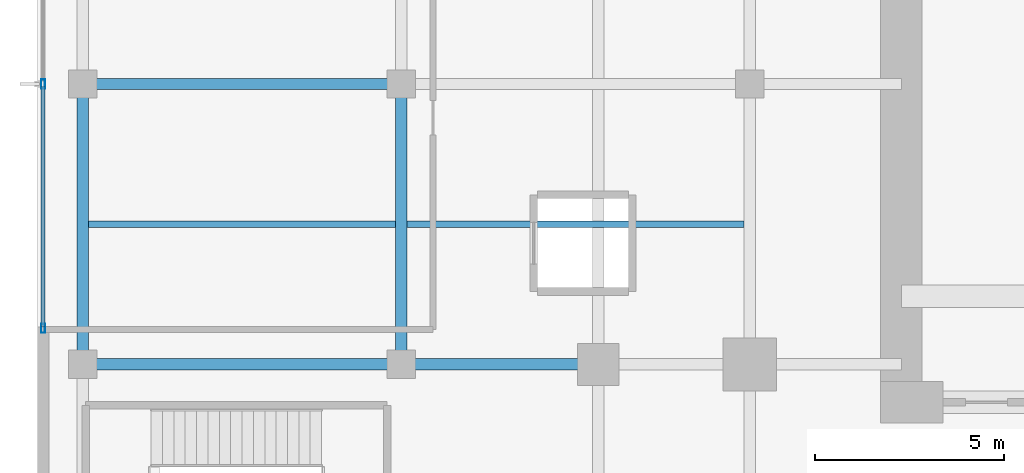
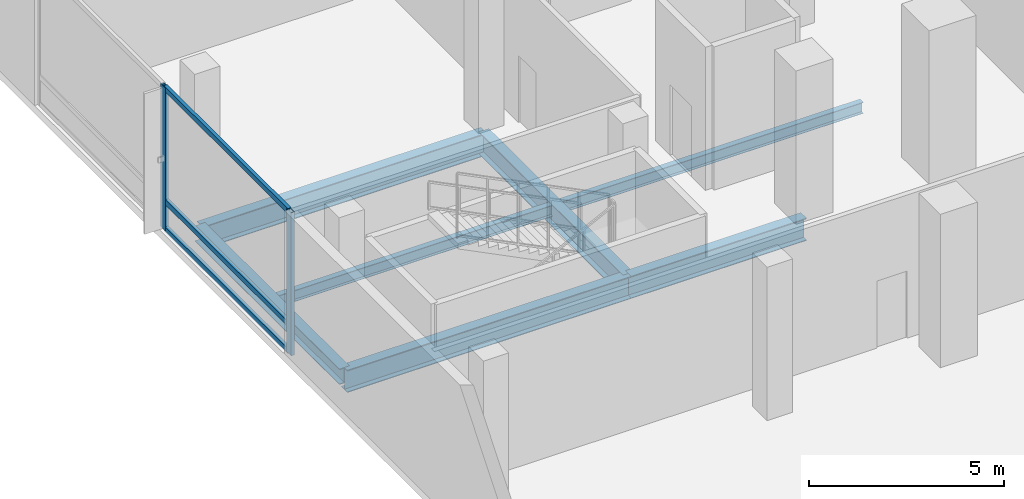
# One storey, part 2 of 19: 7 beams, 5 members, 1 element without a shape of its own.
"""IFC4 building model written with IfcOpenShell, lengths in metres."""

from ifc_helpers import new_model, si_unit, direction, frame, origin, origin_2d, place, context, subcontext, project, spatial, hollow_rectangle, i_section, extrude, material, layer, layer_set, material_profile, profile_set, type_object, element, aggregate, save


model = new_model("IFC4")

# Units and contexts
model_context = context("Model", 3, precision=1e-05, world=origin(), true_north=direction((0.0, 1.0)))
body_context = subcontext(model_context, "Body", "Model", "MODEL_VIEW")
ifc_project = project(units=[si_unit("LENGTHUNIT", "METRE"), si_unit("AREAUNIT", "SQUARE_METRE"), si_unit("VOLUMEUNIT", "CUBIC_METRE"), si_unit("PLANEANGLEUNIT", "RADIAN"), si_unit("MASSUNIT", "GRAM", prefix="KILO")], contexts=[model_context])

# Site, building, storey
site_placement = place(None, origin())
site = spatial("IfcSite", under=ifc_project, at=site_placement, CompositionType="ELEMENT")
building_placement = place(site_placement, origin())
building = spatial("IfcBuilding", under=site, at=building_placement, Name="Khorvyn Point Tower", CompositionType="ELEMENT")
storey_placement = place(building_placement, frame((0.0, 0.0, 21.60009765625)))
storey = spatial("IfcBuildingStorey", under=building, at=storey_placement, Name="L06", CompositionType="ELEMENT", Elevation=21.60009765625)

# Curtain wall, members
ifc_material_1 = material(Name="Anodised aluminium 6063-T6 and laminated Low-E glass", Category="aluminium")
ifc_layer = layer(ifc_material_1, 0.18994140625)
ifc_layer_set = layer_set([ifc_layer], Name="Stick-Built Low-E Podium Curtain Wall CW-SYS-01")
curtain_wall_type = type_object("IfcCurtainWallType", Name="Stick-Built Low-E Podium Curtain Wall CW-SYS-01", PredefinedType="NOTDEFINED", material=ifc_layer_set)
curtain_wall_placement = place(storey_placement, origin())
curtain_wall = element("IfcCurtainWall", 1, at=curtain_wall_placement, inside=storey, type_object=curtain_wall_type, Name="Curtain Wall", PredefinedType="NOTDEFINED")
ifc_material_2 = material(Name="Anodised aluminium 6063-T6", Category="aluminium")
ifc_material_profile_1 = material_profile(ifc_material_2, hollow_rectangle(XDim=0.10009765625, YDim=0.239990234375, WallThickness=0.0048828125, at=origin_2d()))
ifc_profile_set_1 = profile_set([ifc_material_profile_1], Name="Anodised aluminium 6063-T6 ALU-MUL-100x240")
member_type_1 = type_object("IfcMemberType", Name="Anodised Aluminium 6063-T6 Mullion ALU-MUL-100x240", PredefinedType="MULLION", material=ifc_profile_set_1)
member_1_placement = place(storey_placement, frame((-33.449951171875, -6.449951171875, 0.0), z_axis=(0.0, 0.0, 1.0), x_axis=(-1.0, 0.0, 0.0)))
member_1 = element("IfcMember", 2, at=member_1_placement, type_object=member_type_1, Name="Transom", PredefinedType="MULLION", context=body_context, shape_type="SweptSolid", body=[
    extrude(hollow_rectangle(XDim=0.10009765625, YDim=0.239990234375, WallThickness=0.0048828125, at=origin_2d()), origin(), (0.0, 0.0, 1.0), 4.47998046875),
])
member_2_placement = place(storey_placement, frame((-33.449951171875, 0.0, 0.0), z_axis=(0.0, 0.0, 1.0), x_axis=(-1.0, 0.0, 0.0)))
member_2 = element("IfcMember", 3, at=member_2_placement, type_object=member_type_1, Name="Transom", PredefinedType="MULLION", context=body_context, shape_type="SweptSolid", body=[
    extrude(hollow_rectangle(XDim=0.10009765625, YDim=0.239990234375, WallThickness=0.0048828125, at=origin_2d()), origin(), (0.0, 0.0, 1.0), 4.47998046875),
])
ifc_material_profile_2 = material_profile(ifc_material_2, hollow_rectangle(XDim=0.10009765625, YDim=0.159912109375, WallThickness=0.00439453125, at=origin_2d()))
ifc_profile_set_2 = profile_set([ifc_material_profile_2], Name="Anodised aluminium 6063-T6 ALU-TRN-100x160")
member_type_2 = type_object("IfcMemberType", Name="Anodised Aluminium 6063-T6 Transom ALU-TRN-100x160", PredefinedType="USERDEFINED", material=ifc_profile_set_2)
member_3_placement = place(storey_placement, frame((-33.449951171875, -6.39990234375, 0.0498046875), z_axis=(0.0, 1.0, 0.0), x_axis=(-1.0, 0.0, 0.0)))
member_3 = element("IfcMember", 4, at=member_3_placement, type_object=member_type_2, Name="Transom", ObjectType="TRANSOM", PredefinedType="USERDEFINED", context=body_context, shape_type="SweptSolid", body=[
    extrude(hollow_rectangle(XDim=0.10009765625, YDim=0.159912109375, WallThickness=0.00439453125, at=origin_2d()), origin(), (0.0, 0.0, 1.0), 6.349853515625),
])
member_4_placement = place(storey_placement, frame((-33.449951171875, -6.39990234375, 0.89990234375), z_axis=(0.0, 1.0, 0.0), x_axis=(-1.0, 0.0, 0.0)))
member_4 = element("IfcMember", 5, at=member_4_placement, type_object=member_type_2, Name="Transom", ObjectType="TRANSOM", PredefinedType="USERDEFINED", context=body_context, shape_type="SweptSolid", body=[
    extrude(hollow_rectangle(XDim=0.10009765625, YDim=0.159912109375, WallThickness=0.00439453125, at=origin_2d()), origin(), (0.0, 0.0, 1.0), 6.349853515625),
])
member_5_placement = place(storey_placement, frame((-33.449951171875, -6.39990234375, 4.429931640625), z_axis=(0.0, 1.0, 0.0), x_axis=(-1.0, 0.0, 0.0)))
member_5 = element("IfcMember", 6, at=member_5_placement, type_object=member_type_2, Name="Transom", ObjectType="TRANSOM", PredefinedType="USERDEFINED", context=body_context, shape_type="SweptSolid", body=[
    extrude(hollow_rectangle(XDim=0.10009765625, YDim=0.159912109375, WallThickness=0.00439453125, at=origin_2d()), origin(), (0.0, 0.0, 1.0), 6.349853515625),
])
aggregate(curtain_wall, [member_1, member_2, member_3, member_4, member_5])

# Beams
ifc_material_3 = material(Name="Steel S355", Category="steel")
ifc_material_profile_3 = material_profile(ifc_material_3, i_section(OverallWidth=0.300048828125, OverallDepth=0.699951171875, WebThickness=0.012939453125, FlangeThickness=0.02392578125, at=origin_2d()))
ifc_profile_set_3 = profile_set([ifc_material_profile_3], Name="Steel S355 H700x300x13x24")
beam_type_1 = type_object("IfcBeamType", Name="Steel S355 Beam H700x300x13x24", PredefinedType="BEAM", material=ifc_profile_set_3)
beam_1_placement = place(storey_placement, frame((-32.39990234375, -7.39990234375, -0.590087890625), z_axis=(1.0, 0.0, 0.0), x_axis=(0.0, 1.0, 0.0)))
element("IfcBeam", 7, at=beam_1_placement, inside=storey, type_object=beam_type_1, Name="Beam", PredefinedType="BEAM", context=body_context, shape_type="SweptSolid", body=[
    extrude(i_section(OverallWidth=0.300048828125, OverallDepth=0.699951171875, WebThickness=0.012939453125, FlangeThickness=0.02392578125, at=origin_2d()), origin(), (0.0, 0.0, 1.0), 8.39990234375),
])
beam_2_placement = place(storey_placement, frame((-24.0, -7.39990234375, -0.590087890625), z_axis=(1.0, 0.0, 0.0), x_axis=(0.0, 1.0, 0.0)))
element("IfcBeam", 8, at=beam_2_placement, inside=storey, type_object=beam_type_1, Name="Beam", PredefinedType="BEAM", context=body_context, shape_type="SweptSolid", body=[
    extrude(i_section(OverallWidth=0.300048828125, OverallDepth=0.699951171875, WebThickness=0.012939453125, FlangeThickness=0.02392578125, at=origin_2d()), origin(), (0.0, 0.0, 1.0), 5.199951171875),
])
beam_3_placement = place(storey_placement, frame((-32.39990234375, 0.0, -0.590087890625), z_axis=(1.0, 0.0, 0.0), x_axis=(0.0, 1.0, 0.0)))
element("IfcBeam", 9, at=beam_3_placement, inside=storey, type_object=beam_type_1, Name="Beam", PredefinedType="BEAM", context=body_context, shape_type="SweptSolid", body=[
    extrude(i_section(OverallWidth=0.300048828125, OverallDepth=0.699951171875, WebThickness=0.012939453125, FlangeThickness=0.02392578125, at=origin_2d()), origin(), (0.0, 0.0, 1.0), 8.39990234375),
])
beam_4_placement = place(storey_placement, frame((-24.0, -7.39990234375, -0.590087890625), z_axis=(0.0, 1.0, 0.0), x_axis=(-1.0, 0.0, 0.0)))
element("IfcBeam", 10, at=beam_4_placement, inside=storey, type_object=beam_type_1, Name="Beam", PredefinedType="BEAM", context=body_context, shape_type="SweptSolid", body=[
    extrude(i_section(OverallWidth=0.300048828125, OverallDepth=0.699951171875, WebThickness=0.012939453125, FlangeThickness=0.02392578125, at=origin_2d()), origin(), (0.0, 0.0, 1.0), 7.39990234375),
])
ifc_material_profile_4 = material_profile(ifc_material_3, i_section(OverallWidth=0.175048828125, OverallDepth=0.35009765625, WebThickness=0.007080078125, FlangeThickness=0.010986328125, at=origin_2d()))
ifc_profile_set_4 = profile_set([ifc_material_profile_4], Name="Steel S355 H350x175x7x11")
beam_type_2 = type_object("IfcBeamType", Name="Steel S355 Joist H350x175x7x11", PredefinedType="JOIST", material=ifc_profile_set_4)
beam_5_placement = place(storey_placement, frame((-32.25, -3.699951171875, -0.4150390625), z_axis=(1.0, 0.0, 0.0), x_axis=(0.0, 1.0, 0.0)))
element("IfcBeam", 11, at=beam_5_placement, inside=storey, type_object=beam_type_2, Name="Beam", PredefinedType="JOIST", context=body_context, shape_type="SweptSolid", body=[
    extrude(i_section(OverallWidth=0.175048828125, OverallDepth=0.35009765625, WebThickness=0.007080078125, FlangeThickness=0.010986328125, at=origin_2d()), origin(), (0.0, 0.0, 1.0), 8.10009765625),
])
beam_6_placement = place(storey_placement, frame((-23.85009765625, -3.699951171875, -0.4150390625), z_axis=(1.0, 0.0, 0.0), x_axis=(0.0, 1.0, 0.0)))
element("IfcBeam", 12, at=beam_6_placement, inside=storey, type_object=beam_type_2, Name="Beam", PredefinedType="JOIST", context=body_context, shape_type="SweptSolid", body=[
    extrude(i_section(OverallWidth=0.175048828125, OverallDepth=0.35009765625, WebThickness=0.007080078125, FlangeThickness=0.010986328125, at=origin_2d()), origin(), (0.0, 0.0, 1.0), 8.900146484375),
])
ifc_material_profile_5 = material_profile(ifc_material_3, i_section(OverallWidth=0.300048828125, OverallDepth=0.488037109375, WebThickness=0.010986328125, FlangeThickness=0.01806640625, at=origin_2d()))
ifc_profile_set_5 = profile_set([ifc_material_profile_5], Name="Steel S355 H488x300x11x18")
beam_type_3 = type_object("IfcBeamType", Name="Steel S355 Spandrel H488x300x11x18", PredefinedType="SPANDREL", material=ifc_profile_set_5)
beam_7_placement = place(storey_placement, frame((-32.39990234375, -7.39990234375, -0.484130859375), z_axis=(0.0, 1.0, 0.0), x_axis=(-1.0, 0.0, 0.0)))
element("IfcBeam", 13, at=beam_7_placement, inside=storey, type_object=beam_type_3, Name="Beam", PredefinedType="SPANDREL", context=body_context, shape_type="SweptSolid", body=[
    extrude(i_section(OverallWidth=0.300048828125, OverallDepth=0.488037109375, WebThickness=0.010986328125, FlangeThickness=0.01806640625, at=origin_2d()), origin(), (0.0, 0.0, 1.0), 7.39990234375),
])

save(model, "model.ifc")
